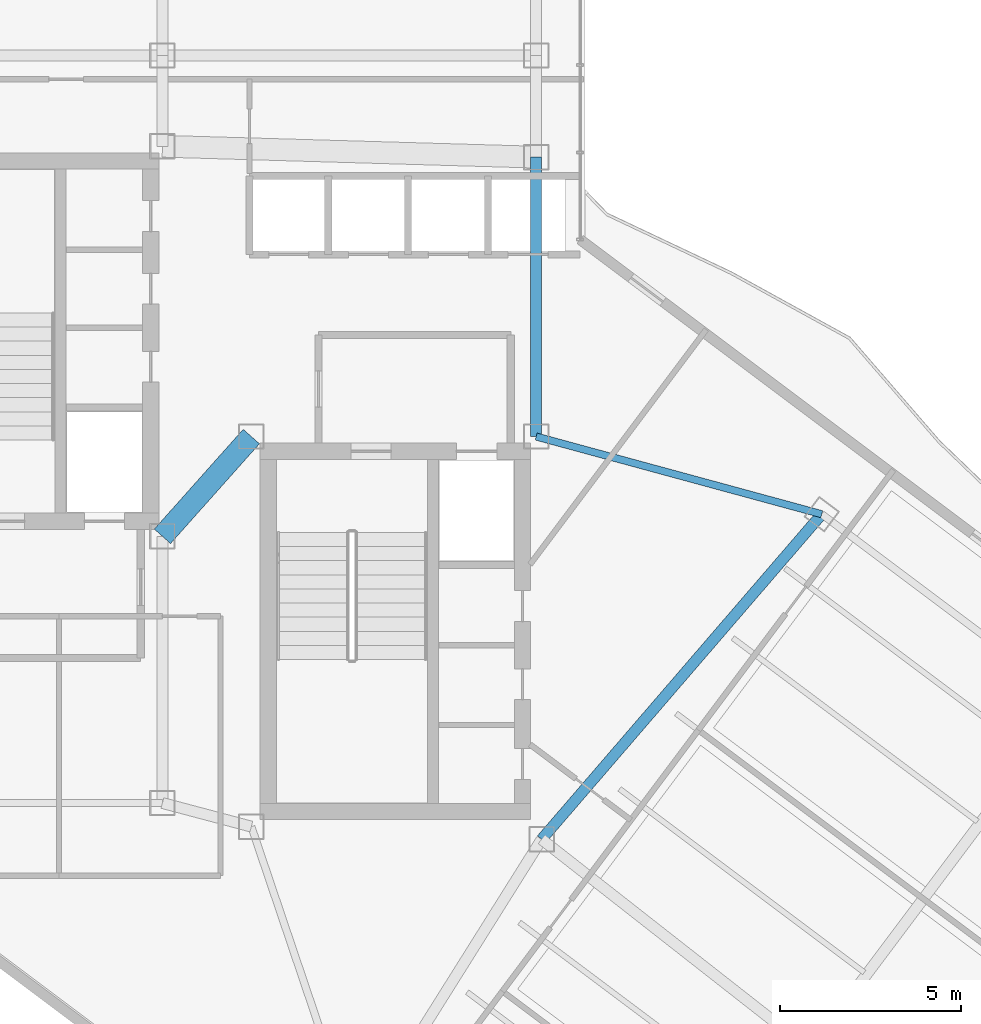
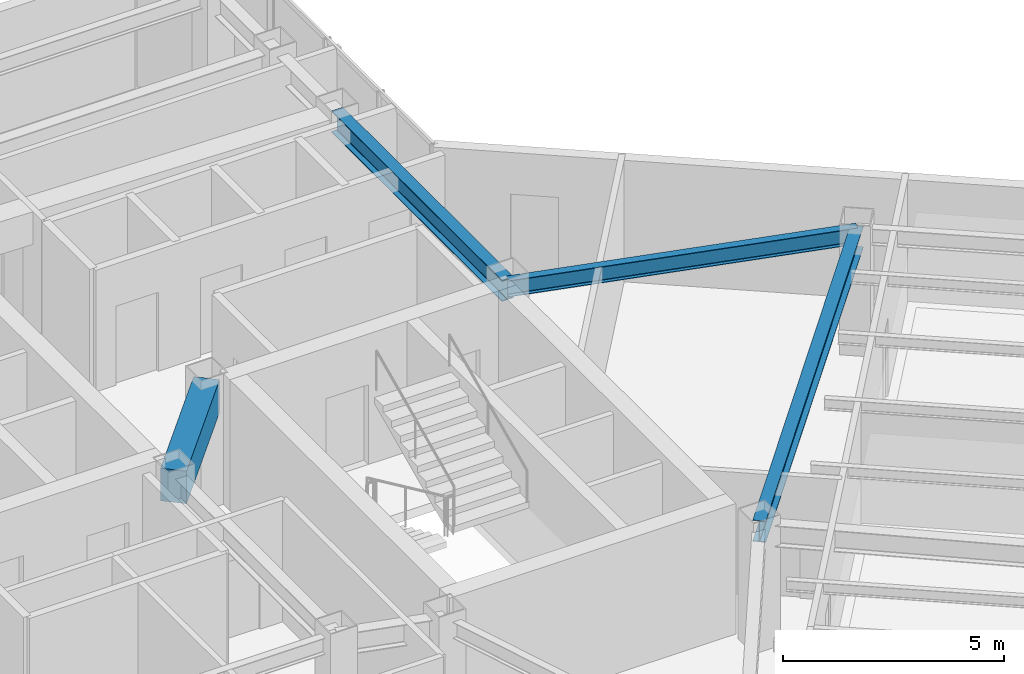
# One storey, part 9 of 26: 4 beams.
"""IFC4 building model written with IfcOpenShell, lengths in metres."""

from ifc_helpers import new_model, si_unit, direction, frame, origin, origin_2d, place, context, subcontext, project, spatial, rectangle, i_section, extrude, material, material_profile, profile_set, type_object, element, save


model = new_model("IFC4")

# Units and contexts
model_context = context("Model", 3, precision=1e-05, world=origin(), true_north=direction((0.0, 1.0)))
body_context = subcontext(model_context, "Body", "Model", "MODEL_VIEW")
ifc_project = project(units=[si_unit("LENGTHUNIT", "METRE"), si_unit("AREAUNIT", "SQUARE_METRE"), si_unit("VOLUMEUNIT", "CUBIC_METRE"), si_unit("PLANEANGLEUNIT", "RADIAN"), si_unit("MASSUNIT", "GRAM", prefix="KILO")], contexts=[model_context])

# Site, building, storey
site_placement = place(None, origin())
site = spatial("IfcSite", under=ifc_project, at=site_placement, CompositionType="ELEMENT")
building_placement = place(site_placement, origin())
building = spatial("IfcBuilding", under=site, at=building_placement, Name="Hatsunagi Terrace Concourse", CompositionType="ELEMENT")
storey_placement = place(building_placement, frame((0.0, 0.0, 227.550048828125)))
storey = spatial("IfcBuildingStorey", under=building, at=storey_placement, Name="L60", CompositionType="ELEMENT", Elevation=227.550048828125)

# Beams
ifc_material_1 = material(Name="Concrete Fc42", Category="concrete")
ifc_material_profile_1 = material_profile(ifc_material_1, rectangle(XDim=0.60009765625, YDim=0.89990234375, at=origin_2d()), Name="RC-600x900")
ifc_profile_set_1 = profile_set([ifc_material_profile_1], Name="Concrete Fc42")
beam_type_1 = type_object("IfcBeamType", Name="CoreCouplingBeam_RC_600x900", PredefinedType="BEAM", material=ifc_profile_set_1)
beam_1_placement = place(storey_placement, frame((33.35009765625, 32.550048828125, 2.89990234375), z_axis=(0.665198651008, 0.746666427997, 0.0), x_axis=(-0.746666427997, 0.665198651008, 0.0)))
element("IfcBeam", 1, at=beam_1_placement, inside=storey, type_object=beam_type_1, Name="Beam CB-03 CB-L60-1", PredefinedType="BEAM", context=body_context, shape_type="SweptSolid", body=[
    extrude(rectangle(XDim=0.60009765625, YDim=0.89990234375, at=origin_2d()), origin(), (0.0, 0.0, 1.0), 3.68310546875),
])
ifc_material_2 = material(Name="Steel SN490B", Category="steel")
ifc_material_profile_2 = material_profile(ifc_material_2, i_section(OverallWidth=0.300048828125, OverallDepth=0.587890625, WebThickness=0.011962890625, FlangeThickness=0.02001953125, FilletRadius=0.01806640625, at=origin_2d()), Name="H-588x300x12x20")
ifc_profile_set_2 = profile_set([ifc_material_profile_2], Name="Steel SN490B")
beam_type_2 = type_object("IfcBeamType", Name="OfficeHighGirder_H_588x300", PredefinedType="BEAM", material=ifc_profile_set_2)
beam_2_placement = place(storey_placement, frame((43.64990234375, 35.300048828125, 3.055908203125), z_axis=(0.0, 1.0, 0.0), x_axis=(-1.0, 0.0, 0.0)))
element("IfcBeam", 2, at=beam_2_placement, inside=storey, type_object=beam_type_2, Name="Beam G-06 BM-L60-CBK3", PredefinedType="BEAM", context=body_context, shape_type="SweptSolid", body=[
    extrude(i_section(OverallWidth=0.300048828125, OverallDepth=0.587890625, WebThickness=0.011962890625, FlangeThickness=0.02001953125, FilletRadius=0.01806640625, at=origin_2d()), origin(), (0.0, 0.0, 1.0), 7.699951171875),
])
beam_3_placement = place(storey_placement, frame((43.800048828125, 24.199951171875, 3.055908203125), z_axis=(0.652739101421, 0.757582777969, 0.0), x_axis=(-0.757582777969, 0.652739101421, 0.0)))
element("IfcBeam", 3, at=beam_3_placement, inside=storey, type_object=beam_type_2, Name="Beam G-06 BM-L60-SET-1B", PredefinedType="BEAM", context=body_context, shape_type="SweptSolid", body=[
    extrude(i_section(OverallWidth=0.300048828125, OverallDepth=0.587890625, WebThickness=0.011962890625, FlangeThickness=0.02001953125, FilletRadius=0.01806640625, at=origin_2d()), origin(), (0.0, 0.0, 1.0), 11.8271484375),
])
ifc_material_3 = material(Name="Steel SN490B", Category="steel")
ifc_material_profile_3 = material_profile(ifc_material_3, i_section(OverallWidth=0.199951171875, OverallDepth=0.449951171875, WebThickness=0.009033203125, FlangeThickness=0.013916015625, FilletRadius=0.01611328125, at=origin_2d()), Name="H-450x200x9x14")
ifc_profile_set_3 = profile_set([ifc_material_profile_3], Name="Steel SN490B")
beam_type_3 = type_object("IfcBeamType", Name="PerimeterSpandrel_H_450x200", PredefinedType="SPANDREL", material=ifc_profile_set_3)
beam_4_placement = place(storey_placement, frame((43.64990234375, 35.300048828125, 3.125), z_axis=(0.964958359286, -0.262403057994, 0.0), x_axis=(0.262403057994, 0.964958359286, 0.0)))
element("IfcBeam", 4, at=beam_4_placement, inside=storey, type_object=beam_type_3, Name="Beam SP-02 BM-L60-SE-NE0", PredefinedType="SPANDREL", context=body_context, shape_type="SweptSolid", body=[
    extrude(i_section(OverallWidth=0.199951171875, OverallDepth=0.449951171875, WebThickness=0.009033203125, FlangeThickness=0.013916015625, FilletRadius=0.01611328125, at=origin_2d()), origin(), (0.0, 0.0, 1.0), 8.156005859375),
])

save(model, "model.ifc")
